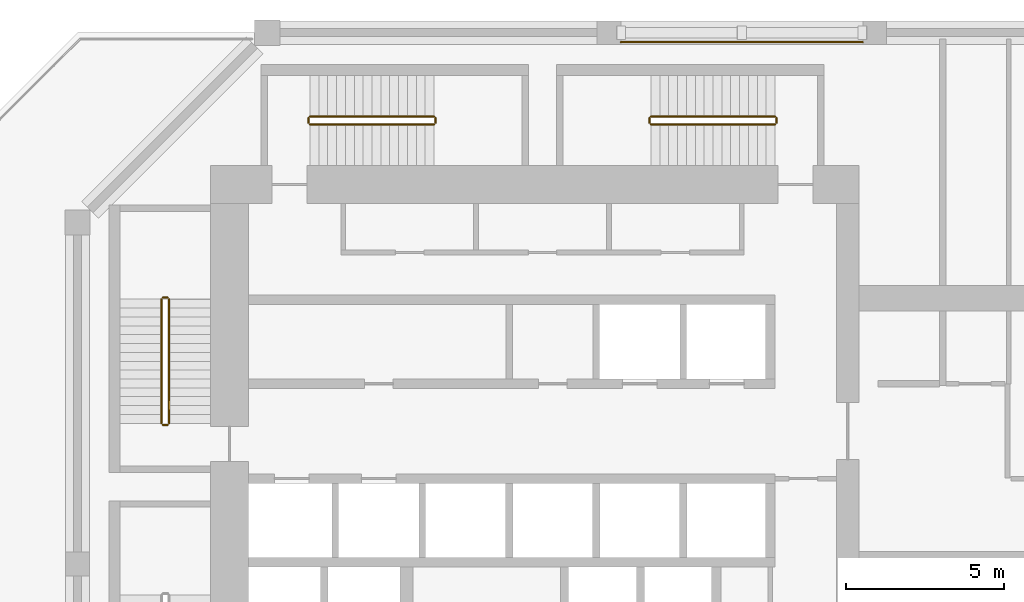
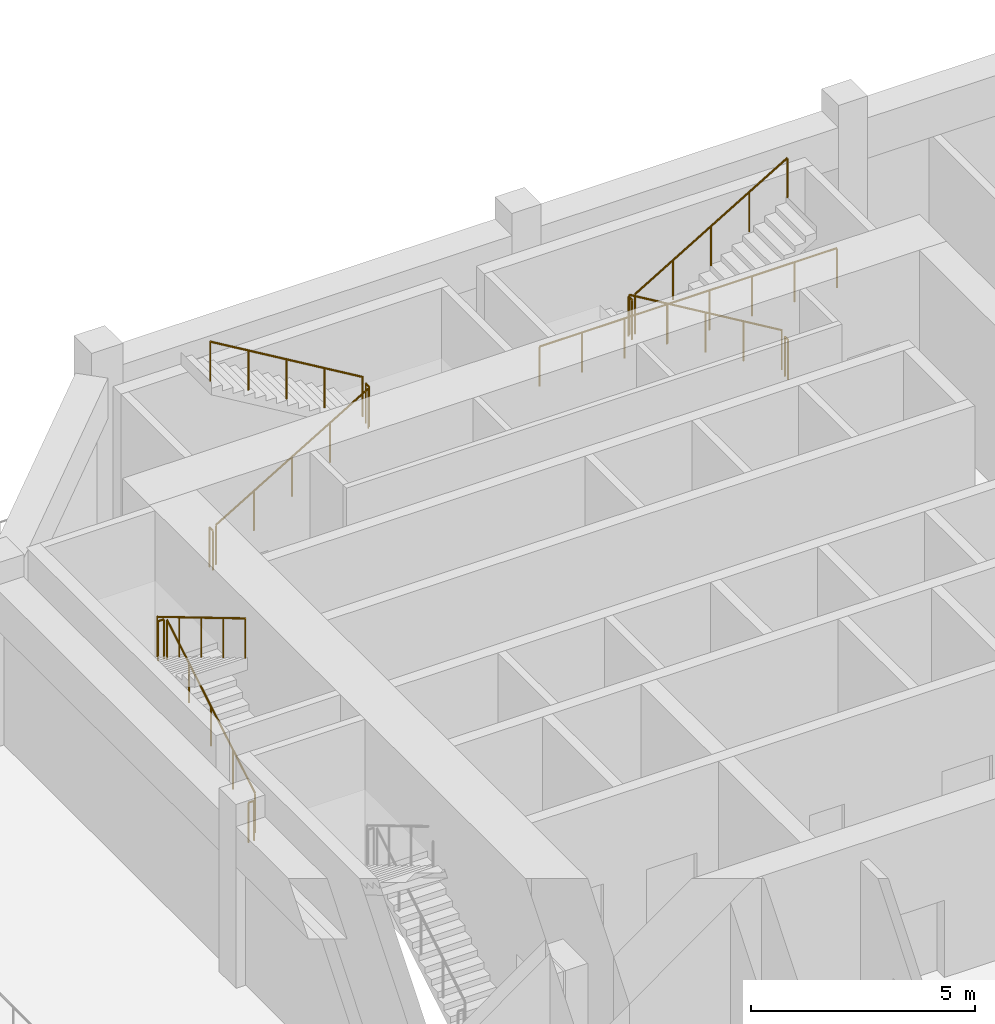
# One storey, part 15 of 16: 13 railings.
"""IFC4 building model written with IfcOpenShell, lengths in metres."""

from ifc_helpers import new_model, si_unit, direction, frame, origin, origin_2d, place, context, subcontext, project, spatial, circle, extrude, material, type_object, element, save


model = new_model("IFC4")

# Units and contexts
model_context = context("Model", 3, precision=1e-05, world=origin(), true_north=direction((0.0, 1.0)))
body_context = subcontext(model_context, "Body", "Model", "MODEL_VIEW")
ifc_project = project(units=[si_unit("LENGTHUNIT", "METRE"), si_unit("AREAUNIT", "SQUARE_METRE"), si_unit("VOLUMEUNIT", "CUBIC_METRE"), si_unit("PLANEANGLEUNIT", "RADIAN"), si_unit("MASSUNIT", "GRAM", prefix="KILO")], contexts=[model_context])

# Site, building, storey
site_placement = place(None, origin())
site = spatial("IfcSite", under=ifc_project, at=site_placement, CompositionType="ELEMENT")
building_placement = place(site_placement, origin())
building = spatial("IfcBuilding", under=site, at=building_placement, Name="Kawkab Arch Medical Tower", CompositionType="ELEMENT")
storey_placement = place(building_placement, frame((0.0, 0.0, 272.60009765625)))
storey = spatial("IfcBuildingStorey", under=building, at=storey_placement, Name="L63", CompositionType="ELEMENT", Elevation=272.60009765625)

# Railings
ifc_material_1 = material(Name="Bronze anodised aluminium guard", Category="aluminium")
railing_type_1 = type_object("IfcRailingType", Name="Loggia and terrace guard 1100", PredefinedType="GUARDRAIL", material=ifc_material_1)
railing_1_placement = place(storey_placement, frame((24.824951171875, -0.300048828125, 0.0)))
element("IfcRailing", 1, at=railing_1_placement, inside=storey, type_object=railing_type_1, Name="Band guard L63.R20.4", PredefinedType="GUARDRAIL", context=body_context, shape_type="SweptSolid", body=[
    extrude(circle(Radius=0.02392578125, at=origin_2d()), frame((0.0, 0.0, 1.076171875), z_axis=(-1.0, 0.0, 0.0), x_axis=(0.0, -1.0, 0.0)), (0.0, 0.0, 1.0), 7.64990234375),
    extrude(circle(Radius=0.02099609375, at=origin_2d()), origin(), (0.0, 0.0, 1.0), 1.052001953125),
    extrude(circle(Radius=0.02099609375, at=origin_2d()), frame((-1.0927734375, 0.0, 0.0)), (0.0, 0.0, 1.0), 1.052001953125),
    extrude(circle(Radius=0.02099609375, at=origin_2d()), frame((-2.185791015625, 0.0, 0.0)), (0.0, 0.0, 1.0), 1.052001953125),
    extrude(circle(Radius=0.02099609375, at=origin_2d()), frame((-3.278564453125, 0.0, 0.0)), (0.0, 0.0, 1.0), 1.052001953125),
    extrude(circle(Radius=0.02099609375, at=origin_2d()), frame((-4.371337890625, 0.0, 0.0)), (0.0, 0.0, 1.0), 1.052001953125),
    extrude(circle(Radius=0.02099609375, at=origin_2d()), frame((-5.464111328125, 0.0, 0.0)), (0.0, 0.0, 1.0), 1.052001953125),
    extrude(circle(Radius=0.02099609375, at=origin_2d()), frame((-6.55712890625, 0.0, 0.0)), (0.0, 0.0, 1.0), 1.052001953125),
    extrude(circle(Radius=0.02099609375, at=origin_2d()), frame((-7.64990234375, 0.0, 0.0)), (0.0, 0.0, 1.0), 1.052001953125),
])
ifc_material_2 = material(Name="Stainless steel", Category="steel")
railing_type_2 = type_object("IfcRailingType", Name="Stair guard 1100", PredefinedType="GUARDRAIL", material=ifc_material_2)
railing_2_placement = place(storey_placement, frame((2.89990234375, -12.35009765625, 0.16650390625)))
element("IfcRailing", 2, at=railing_2_placement, inside=storey, type_object=railing_type_2, Name="L63 ST1 stair guard 1", PredefinedType="GUARDRAIL", context=body_context, shape_type="SweptSolid", body=[
    extrude(circle(Radius=0.02392578125, at=origin_2d()), frame((0.0, 0.0, 1.076171875), z_axis=(0.0, 0.859286724212, 0.511494208758), x_axis=(-1.0, 0.0, 0.0)), (0.0, 0.0, 1.0), 4.56201171875),
    extrude(circle(Radius=0.02099609375, at=origin_2d()), origin(), (0.0, 0.0, 1.0), 1.052001953125),
    extrude(circle(Radius=0.02099609375, at=origin_2d()), frame((0.0, 0.97998046875, 0.58349609375)), (0.0, 0.0, 1.0), 1.052001953125),
    extrude(circle(Radius=0.02099609375, at=origin_2d()), frame((0.0, 1.9599609375, 1.166748046875)), (0.0, 0.0, 1.0), 1.052001953125),
    extrude(circle(Radius=0.02099609375, at=origin_2d()), frame((0.0, 2.940185546875, 1.75)), (0.0, 0.0, 1.0), 1.052001953125),
    extrude(circle(Radius=0.02099609375, at=origin_2d()), frame((0.0, 3.920166015625, 2.33349609375)), (0.0, 0.0, 1.0), 1.052001953125),
])
railing_3_placement = place(storey_placement, frame((2.85009765625, -8.3798828125, 2.5)))
element("IfcRailing", 3, at=railing_3_placement, inside=storey, type_object=railing_type_2, Name="L63 ST1 stair guard 2", PredefinedType="GUARDRAIL", context=body_context, shape_type="SweptSolid", body=[
    extrude(circle(Radius=0.02392578125, at=origin_2d()), frame((0.0, 0.0, 1.076171875), z_axis=(-1.0, 0.0, 0.0), x_axis=(0.0, -1.0, 0.0)), (0.0, 0.0, 1.0), 0.150146484375),
    extrude(circle(Radius=0.02099609375, at=origin_2d()), origin(), (0.0, 0.0, 1.0), 1.052001953125),
    extrude(circle(Radius=0.02099609375, at=origin_2d()), frame((-0.150146484375, 0.0, 0.0)), (0.0, 0.0, 1.0), 1.052001953125),
])
railing_4_placement = place(storey_placement, frame((2.64990234375, -8.429931640625, 2.66650390625)))
element("IfcRailing", 4, at=railing_4_placement, inside=storey, type_object=railing_type_2, Name="L63 ST1 stair guard 3", PredefinedType="GUARDRAIL", context=body_context, shape_type="SweptSolid", body=[
    extrude(circle(Radius=0.02392578125, at=origin_2d()), frame((0.0, 0.0, 1.076171875), z_axis=(0.0, -0.859286724212, 0.511494208758), x_axis=(1.0, 0.0, 0.0)), (0.0, 0.0, 1.0), 4.56201171875),
    extrude(circle(Radius=0.02099609375, at=origin_2d()), origin(), (0.0, 0.0, 1.0), 1.052001953125),
    extrude(circle(Radius=0.02099609375, at=origin_2d()), frame((0.0, -0.97998046875, 0.58349609375)), (0.0, 0.0, 1.0), 1.052001953125),
    extrude(circle(Radius=0.02099609375, at=origin_2d()), frame((0.0, -1.9599609375, 1.166748046875)), (0.0, 0.0, 1.0), 1.052001953125),
    extrude(circle(Radius=0.02099609375, at=origin_2d()), frame((0.0, -2.940185546875, 1.75)), (0.0, 0.0, 1.0), 1.052001953125),
    extrude(circle(Radius=0.02099609375, at=origin_2d()), frame((0.0, -3.920166015625, 2.33349609375)), (0.0, 0.0, 1.0), 1.052001953125),
])
railing_5_placement = place(storey_placement, frame((2.85009765625, -12.39990234375, 0.0)))
element("IfcRailing", 5, at=railing_5_placement, inside=storey, type_object=railing_type_2, Name="L63 ST1 stair guard 4", PredefinedType="GUARDRAIL", context=body_context, shape_type="SweptSolid", body=[
    extrude(circle(Radius=0.02392578125, at=origin_2d()), frame((0.0, 0.0, 1.076171875), z_axis=(-1.0, 0.0, 0.0), x_axis=(0.0, -1.0, 0.0)), (0.0, 0.0, 1.0), 0.150146484375),
    extrude(circle(Radius=0.02099609375, at=origin_2d()), origin(), (0.0, 0.0, 1.0), 1.052001953125),
    extrude(circle(Radius=0.02099609375, at=origin_2d()), frame((-0.150146484375, 0.0, 0.0)), (0.0, 0.0, 1.0), 1.052001953125),
])
railing_6_placement = place(storey_placement, frame((7.35009765625, -2.89990234375, 0.16650390625)))
element("IfcRailing", 6, at=railing_6_placement, inside=storey, type_object=railing_type_2, Name="L63 ST3 stair guard 1", PredefinedType="GUARDRAIL", context=body_context, shape_type="SweptSolid", body=[
    extrude(circle(Radius=0.02392578125, at=origin_2d()), frame((0.0, 0.0, 1.076171875), z_axis=(0.859272722373, 0.0, 0.511517730471), x_axis=(0.0, 1.0, 0.0)), (0.0, 0.0, 1.0), 4.56201171875),
    extrude(circle(Radius=0.02099609375, at=origin_2d()), origin(), (0.0, 0.0, 1.0), 1.052001953125),
    extrude(circle(Radius=0.02099609375, at=origin_2d()), frame((0.97998046875, 0.0, 0.58349609375)), (0.0, 0.0, 1.0), 1.052001953125),
    extrude(circle(Radius=0.02099609375, at=origin_2d()), frame((1.9599609375, 0.0, 1.166748046875)), (0.0, 0.0, 1.0), 1.052001953125),
    extrude(circle(Radius=0.02099609375, at=origin_2d()), frame((2.93994140625, 0.0, 1.75)), (0.0, 0.0, 1.0), 1.052001953125),
    extrude(circle(Radius=0.02099609375, at=origin_2d()), frame((3.919921875, 0.0, 2.33349609375)), (0.0, 0.0, 1.0), 1.052001953125),
])
railing_7_placement = place(storey_placement, frame((11.320068359375, -2.85009765625, 2.5)))
element("IfcRailing", 7, at=railing_7_placement, inside=storey, type_object=railing_type_2, Name="L63 ST3 stair guard 2", PredefinedType="GUARDRAIL", context=body_context, shape_type="SweptSolid", body=[
    extrude(circle(Radius=0.02392578125, at=origin_2d()), frame((0.0, 0.0, 1.076171875), z_axis=(0.0, 1.0, 0.0), x_axis=(-1.0, 0.0, 0.0)), (0.0, 0.0, 1.0), 0.150146484375),
    extrude(circle(Radius=0.02099609375, at=origin_2d()), origin(), (0.0, 0.0, 1.0), 1.052001953125),
    extrude(circle(Radius=0.02099609375, at=origin_2d()), frame((0.0, 0.150146484375, 0.0)), (0.0, 0.0, 1.0), 1.052001953125),
])
railing_8_placement = place(storey_placement, frame((11.27001953125, -2.64990234375, 2.66650390625)))
element("IfcRailing", 8, at=railing_8_placement, inside=storey, type_object=railing_type_2, Name="L63 ST3 stair guard 3", PredefinedType="GUARDRAIL", context=body_context, shape_type="SweptSolid", body=[
    extrude(circle(Radius=0.02392578125, at=origin_2d()), frame((0.0, 0.0, 1.076171875), z_axis=(-0.859272722373, 0.0, 0.511517730471), x_axis=(0.0, -1.0, 0.0)), (0.0, 0.0, 1.0), 4.56201171875),
    extrude(circle(Radius=0.02099609375, at=origin_2d()), origin(), (0.0, 0.0, 1.0), 1.052001953125),
    extrude(circle(Radius=0.02099609375, at=origin_2d()), frame((-0.97998046875, 0.0, 0.58349609375)), (0.0, 0.0, 1.0), 1.052001953125),
    extrude(circle(Radius=0.02099609375, at=origin_2d()), frame((-1.9599609375, 0.0, 1.166748046875)), (0.0, 0.0, 1.0), 1.052001953125),
    extrude(circle(Radius=0.02099609375, at=origin_2d()), frame((-2.93994140625, 0.0, 1.75)), (0.0, 0.0, 1.0), 1.052001953125),
    extrude(circle(Radius=0.02099609375, at=origin_2d()), frame((-3.919921875, 0.0, 2.33349609375)), (0.0, 0.0, 1.0), 1.052001953125),
])
railing_9_placement = place(storey_placement, frame((7.300048828125, -2.85009765625, 0.0)))
element("IfcRailing", 9, at=railing_9_placement, inside=storey, type_object=railing_type_2, Name="L63 ST3 stair guard 4", PredefinedType="GUARDRAIL", context=body_context, shape_type="SweptSolid", body=[
    extrude(circle(Radius=0.02392578125, at=origin_2d()), frame((0.0, 0.0, 1.076171875), z_axis=(0.0, 1.0, 0.0), x_axis=(-1.0, 0.0, 0.0)), (0.0, 0.0, 1.0), 0.150146484375),
    extrude(circle(Radius=0.02099609375, at=origin_2d()), origin(), (0.0, 0.0, 1.0), 1.052001953125),
    extrude(circle(Radius=0.02099609375, at=origin_2d()), frame((0.0, 0.150146484375, 0.0)), (0.0, 0.0, 1.0), 1.052001953125),
])
railing_10_placement = place(storey_placement, frame((22.050048828125, -2.64990234375, 0.16650390625)))
element("IfcRailing", 10, at=railing_10_placement, inside=storey, type_object=railing_type_2, Name="L63 ST4 stair guard 1", PredefinedType="GUARDRAIL", context=body_context, shape_type="SweptSolid", body=[
    extrude(circle(Radius=0.02392578125, at=origin_2d()), frame((0.0, 0.0, 1.076171875), z_axis=(-0.859286724212, 0.0, 0.511494208758), x_axis=(0.0, -1.0, 0.0)), (0.0, 0.0, 1.0), 4.56201171875),
    extrude(circle(Radius=0.02099609375, at=origin_2d()), origin(), (0.0, 0.0, 1.0), 1.052001953125),
    extrude(circle(Radius=0.02099609375, at=origin_2d()), frame((-0.97998046875, 0.0, 0.58349609375)), (0.0, 0.0, 1.0), 1.052001953125),
    extrude(circle(Radius=0.02099609375, at=origin_2d()), frame((-1.9599609375, 0.0, 1.166748046875)), (0.0, 0.0, 1.0), 1.052001953125),
    extrude(circle(Radius=0.02099609375, at=origin_2d()), frame((-2.940185546875, 0.0, 1.75)), (0.0, 0.0, 1.0), 1.052001953125),
    extrude(circle(Radius=0.02099609375, at=origin_2d()), frame((-3.920166015625, 0.0, 2.33349609375)), (0.0, 0.0, 1.0), 1.052001953125),
])
railing_11_placement = place(storey_placement, frame((18.080078125, -2.699951171875, 2.5)))
element("IfcRailing", 11, at=railing_11_placement, inside=storey, type_object=railing_type_2, Name="L63 ST4 stair guard 2", PredefinedType="GUARDRAIL", context=body_context, shape_type="SweptSolid", body=[
    extrude(circle(Radius=0.02392578125, at=origin_2d()), frame((0.0, 0.0, 1.076171875), z_axis=(0.0, -1.0, 0.0), x_axis=(1.0, 0.0, 0.0)), (0.0, 0.0, 1.0), 0.150146484375),
    extrude(circle(Radius=0.02099609375, at=origin_2d()), origin(), (0.0, 0.0, 1.0), 1.052001953125),
    extrude(circle(Radius=0.02099609375, at=origin_2d()), frame((0.0, -0.150146484375, 0.0)), (0.0, 0.0, 1.0), 1.052001953125),
])
railing_12_placement = place(storey_placement, frame((18.1298828125, -2.89990234375, 2.66650390625)))
element("IfcRailing", 12, at=railing_12_placement, inside=storey, type_object=railing_type_2, Name="L63 ST4 stair guard 3", PredefinedType="GUARDRAIL", context=body_context, shape_type="SweptSolid", body=[
    extrude(circle(Radius=0.02392578125, at=origin_2d()), frame((0.0, 0.0, 1.076171875), z_axis=(0.859286724212, 0.0, 0.511494208758), x_axis=(0.0, 1.0, 0.0)), (0.0, 0.0, 1.0), 4.56201171875),
    extrude(circle(Radius=0.02099609375, at=origin_2d()), origin(), (0.0, 0.0, 1.0), 1.052001953125),
    extrude(circle(Radius=0.02099609375, at=origin_2d()), frame((0.97998046875, 0.0, 0.58349609375)), (0.0, 0.0, 1.0), 1.052001953125),
    extrude(circle(Radius=0.02099609375, at=origin_2d()), frame((1.9599609375, 0.0, 1.166748046875)), (0.0, 0.0, 1.0), 1.052001953125),
    extrude(circle(Radius=0.02099609375, at=origin_2d()), frame((2.940185546875, 0.0, 1.75)), (0.0, 0.0, 1.0), 1.052001953125),
    extrude(circle(Radius=0.02099609375, at=origin_2d()), frame((3.920166015625, 0.0, 2.33349609375)), (0.0, 0.0, 1.0), 1.052001953125),
])
railing_13_placement = place(storey_placement, frame((22.10009765625, -2.699951171875, 0.0)))
element("IfcRailing", 13, at=railing_13_placement, inside=storey, type_object=railing_type_2, Name="L63 ST4 stair guard 4", PredefinedType="GUARDRAIL", context=body_context, shape_type="SweptSolid", body=[
    extrude(circle(Radius=0.02392578125, at=origin_2d()), frame((0.0, 0.0, 1.076171875), z_axis=(0.0, -1.0, 0.0), x_axis=(1.0, 0.0, 0.0)), (0.0, 0.0, 1.0), 0.150146484375),
    extrude(circle(Radius=0.02099609375, at=origin_2d()), origin(), (0.0, 0.0, 1.0), 1.052001953125),
    extrude(circle(Radius=0.02099609375, at=origin_2d()), frame((0.0, -0.150146484375, 0.0)), (0.0, 0.0, 1.0), 1.052001953125),
])

save(model, "model.ifc")
